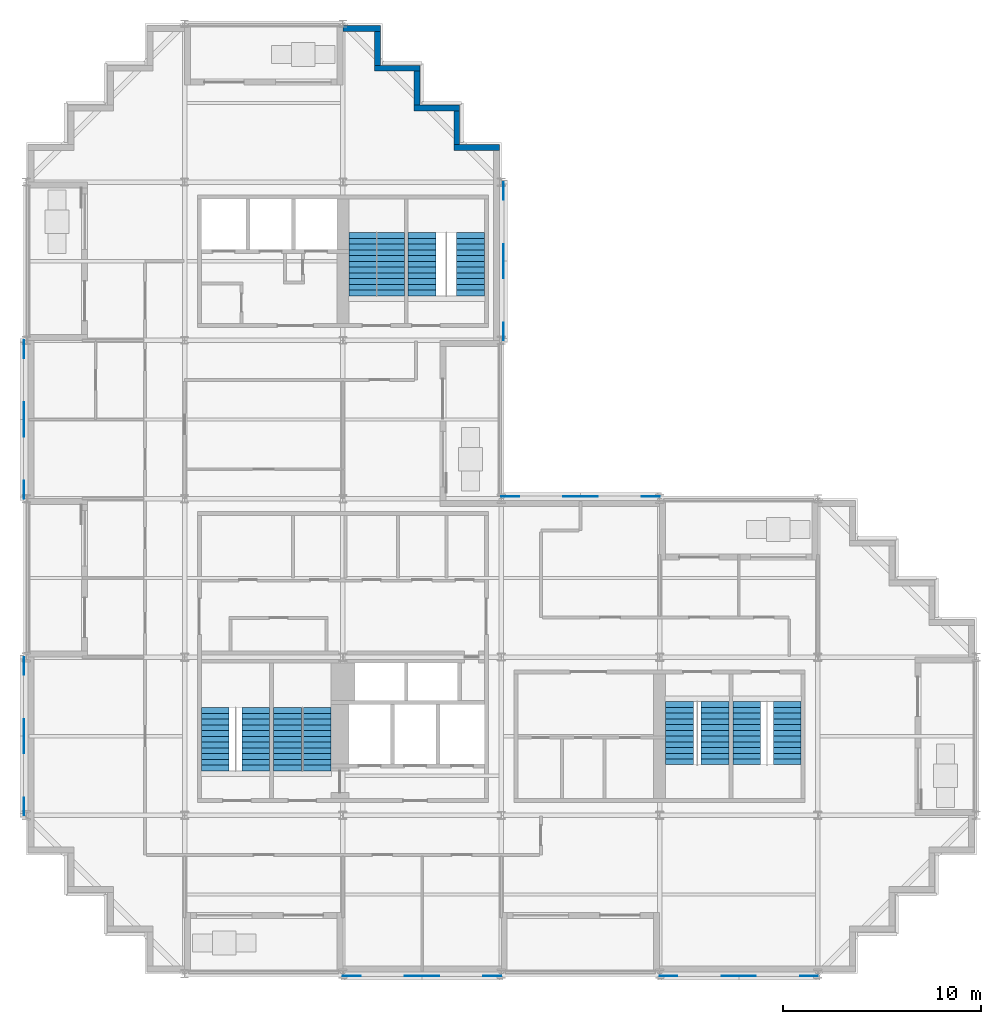
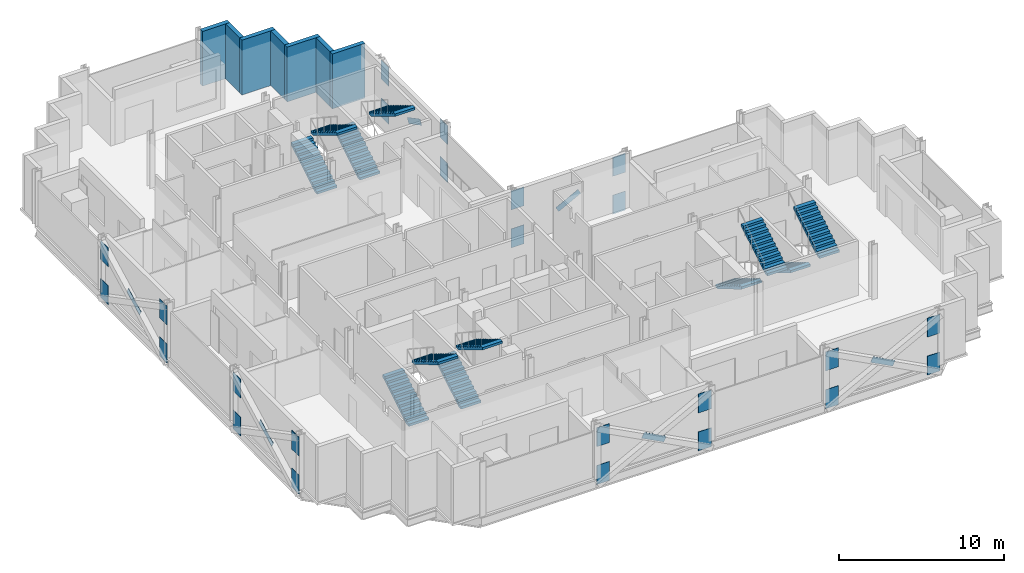
# One storey, part 9 of 12: 30 discrete accessories, 12 stair flights, 7 walls, 6 elements without a shape of their own.
"""IFC4 building model written with IfcOpenShell, lengths in metres."""

from ifc_helpers import new_model, si_unit, direction, frame, frame_2d, origin, origin_2d, place, context, subcontext, project, spatial, polyline, rectangle, outline, extrude, material, layer, layer_set, material_profile, profile_set, type_object, element, aggregate, save


model = new_model("IFC4")

# Units and contexts
model_context = context("Model", 3, precision=1e-05, world=origin(), true_north=direction((0.0, 1.0)))
body_context = subcontext(model_context, "Body", "Model", "MODEL_VIEW")
ifc_project = project(units=[si_unit("LENGTHUNIT", "METRE"), si_unit("AREAUNIT", "SQUARE_METRE"), si_unit("VOLUMEUNIT", "CUBIC_METRE"), si_unit("PLANEANGLEUNIT", "RADIAN"), si_unit("MASSUNIT", "GRAM", prefix="KILO")], contexts=[model_context])

# Site, building, storey
site_placement = place(None, origin())
site = spatial("IfcSite", under=ifc_project, at=site_placement, CompositionType="ELEMENT")
building_placement = place(site_placement, origin())
building = spatial("IfcBuilding", under=site, at=building_placement, Name="Immortelle Media Tower", CompositionType="ELEMENT")
storey_placement = place(building_placement, frame((0.0, 0.0, 145.199951171875)))
storey = spatial("IfcBuildingStorey", under=building, at=storey_placement, Name="L29", CompositionType="ELEMENT", Elevation=145.199951171875)

# Walls
ifc_material_1 = material(Name="Pale aluminium cladding panel", Category="aluminium")
ifc_layer_1 = layer(ifc_material_1, 0.030029296875)
ifc_material_2 = material(Name="Steel ASTM A653 SS Gr 50 stud frame with mineral wool", Category="steel")
ifc_layer_2 = layer(ifc_material_2, 0.257568359375)
ifc_material_3 = material(Name="Moisture-resistant gypsum board", Category="gypsum")
ifc_layer_3 = layer(ifc_material_3, 0.012451171875)
ifc_layer_set = layer_set([ifc_layer_1, ifc_layer_2, ifc_layer_3], Name="Steel ASTM A653 SS Gr 50 stud frame with mineral wool")
wall_type = type_object("IfcWallType", Name="Facade wall 300", PredefinedType="SOLIDWALL", material=ifc_layer_set)
wall_1_placement = place(storey_placement, frame((23.89990234375, 41.75, 0.0), z_axis=(0.0, 0.0, 1.0), x_axis=(-1.0, 0.0, 0.0)))
element("IfcWall", 1, at=wall_1_placement, inside=storey, type_object=wall_type, Name="Facade wall L29 N22", PredefinedType="SOLIDWALL", context=body_context, shape_type="SweptSolid", body=[
    extrude(rectangle(XDim=2.2998046875, YDim=0.300048828125, at=frame_2d((1.14990234375, 0.0))), origin(), (0.0, 0.0, 1.0), 4.050048828125),
])
wall_2_placement = place(storey_placement, frame((21.75, 41.89990234375, 0.0), z_axis=(0.0, 0.0, 1.0), x_axis=(0.0, 1.0, 0.0)))
element("IfcWall", 2, at=wall_2_placement, inside=storey, type_object=wall_type, Name="Facade wall L29 E23", PredefinedType="SOLIDWALL", context=body_context, shape_type="SweptSolid", body=[
    extrude(rectangle(XDim=1.7001953125, YDim=0.300048828125, at=frame_2d((0.85009765625, 0.0))), origin(), (0.0, 0.0, 1.0), 4.050048828125),
])
wall_3_placement = place(storey_placement, frame((21.89990234375, 43.75, 0.0), z_axis=(0.0, 0.0, 1.0), x_axis=(-1.0, 0.0, 0.0)))
element("IfcWall", 3, at=wall_3_placement, inside=storey, type_object=wall_type, Name="Facade wall L29 N24", PredefinedType="SOLIDWALL", context=body_context, shape_type="SweptSolid", body=[
    extrude(rectangle(XDim=2.2998046875, YDim=0.300048828125, at=frame_2d((1.14990234375, 0.0))), origin(), (0.0, 0.0, 1.0), 4.050048828125),
])
wall_4_placement = place(storey_placement, frame((19.75, 43.89990234375, 0.0), z_axis=(0.0, 0.0, 1.0), x_axis=(0.0, 1.0, 0.0)))
element("IfcWall", 4, at=wall_4_placement, inside=storey, type_object=wall_type, Name="Facade wall L29 E25", PredefinedType="SOLIDWALL", context=body_context, shape_type="SweptSolid", body=[
    extrude(rectangle(XDim=1.7001953125, YDim=0.300048828125, at=frame_2d((0.85009765625, 0.0))), origin(), (0.0, 0.0, 1.0), 4.050048828125),
])
wall_5_placement = place(storey_placement, frame((19.89990234375, 45.75, 0.0), z_axis=(0.0, 0.0, 1.0), x_axis=(-1.0, 0.0, 0.0)))
element("IfcWall", 5, at=wall_5_placement, inside=storey, type_object=wall_type, Name="Facade wall L29 N26", PredefinedType="SOLIDWALL", context=body_context, shape_type="SweptSolid", body=[
    extrude(rectangle(XDim=2.2998046875, YDim=0.300048828125, at=frame_2d((1.14990234375, 0.0))), origin(), (0.0, 0.0, 1.0), 4.050048828125),
])
wall_6_placement = place(storey_placement, frame((17.75, 45.89990234375, 0.0), z_axis=(0.0, 0.0, 1.0), x_axis=(0.0, 1.0, 0.0)))
element("IfcWall", 6, at=wall_6_placement, inside=storey, type_object=wall_type, Name="Facade wall L29 E27", PredefinedType="SOLIDWALL", context=body_context, shape_type="SweptSolid", body=[
    extrude(rectangle(XDim=1.7001953125, YDim=0.300048828125, at=frame_2d((0.85009765625, 0.0))), origin(), (0.0, 0.0, 1.0), 4.050048828125),
])
wall_7_placement = place(storey_placement, frame((17.89990234375, 47.75, 0.0), z_axis=(0.0, 0.0, 1.0), x_axis=(-1.0, 0.0, 0.0)))
element("IfcWall", 7, at=wall_7_placement, inside=storey, type_object=wall_type, Name="Facade wall L29 N28", PredefinedType="SOLIDWALL", context=body_context, shape_type="SweptSolid", body=[
    extrude(rectangle(XDim=1.89990234375, YDim=0.300048828125, at=frame_2d((0.949951171875, 0.0))), origin(), (0.0, 0.0, 1.0), 4.050048828125),
])

# Stair, stair flights
ifc_material_4 = material(Name="Steel ASTM A992 Gr 50", Category="steel")
stair_type = type_object("IfcStairType", Name="Stair with flights", PredefinedType="DOUBLE_RETURN_STAIR", material=ifc_material_4)
stair_1_placement = place(storey_placement, origin())
stair_1 = element("IfcStair", 8, at=stair_1_placement, inside=storey, type_object=stair_type, Name="Exit stair SW1", PredefinedType="DOUBLE_RETURN_STAIR")
stair_flight_type = type_object("IfcStairFlightType", Name="Stair flight 1400", PredefinedType="STRAIGHT", material=ifc_material_4)
stair_flight_1_placement = place(storey_placement, frame((9.550048828125, 10.25, 0.0), z_axis=(0.0, 0.0, 1.0), x_axis=(0.0, 1.0, 0.0)))
stair_flight_1 = element("IfcStairFlight", 9, at=stair_flight_1_placement, type_object=stair_flight_type, Name="ST SW1 flight 1", NumberOfRisers=12, NumberOfTreads=11, PredefinedType="STRAIGHT", RiserHeight=0.175, TreadLength=0.29, context=body_context, shape_type="SweptSolid", body=[
    extrude(outline(polyline([(0.0, 0.0), (0.0, 0.175048828125), (0.2900390625, 0.175048828125), (0.2900390625, 0.35009765625), (0.580078125, 0.35009765625), (0.580078125, 0.52490234375), (0.8701171875, 0.52490234375), (0.8701171875, 0.699951171875), (1.159912109375, 0.699951171875), (1.159912109375, 0.875), (1.449951171875, 0.875), (1.449951171875, 1.050048828125), (1.739990234375, 1.050048828125), (1.739990234375, 1.22509765625), (2.030029296875, 1.22509765625), (2.030029296875, 1.39990234375), (2.320068359375, 1.39990234375), (2.320068359375, 1.574951171875), (2.610107421875, 1.574951171875), (2.610107421875, 1.75), (2.89990234375, 1.75), (2.89990234375, 1.925048828125), (3.18994140625, 1.925048828125), (3.18994140625, 2.10009765625), (3.18994140625, 1.75), (0.2900390625, 0.0), (0.0, 0.0)])), frame((0.0, 0.699951171875, 0.0), z_axis=(0.0, -1.0, 0.0), x_axis=(1.0, 0.0, 0.0)), (0.0, 0.0, 1.0), 1.39990234375),
])
stair_flight_2_placement = place(storey_placement, frame((11.60009765625, 13.43994140625, 2.10009765625), z_axis=(0.0, 0.0, 1.0), x_axis=(0.0, -1.0, 0.0)))
stair_flight_2 = element("IfcStairFlight", 10, at=stair_flight_2_placement, type_object=stair_flight_type, Name="ST SW1 flight 2", NumberOfRisers=12, NumberOfTreads=11, PredefinedType="STRAIGHT", RiserHeight=0.175, TreadLength=0.29, context=body_context, shape_type="SweptSolid", body=[
    extrude(outline(polyline([(0.0, 0.0), (0.0, 0.175048828125), (0.2900390625, 0.175048828125), (0.2900390625, 0.35009765625), (0.580078125, 0.35009765625), (0.580078125, 0.52490234375), (0.8701171875, 0.52490234375), (0.8701171875, 0.699951171875), (1.159912109375, 0.699951171875), (1.159912109375, 0.875), (1.449951171875, 0.875), (1.449951171875, 1.050048828125), (1.739990234375, 1.050048828125), (1.739990234375, 1.22509765625), (2.030029296875, 1.22509765625), (2.030029296875, 1.39990234375), (2.320068359375, 1.39990234375), (2.320068359375, 1.574951171875), (2.610107421875, 1.574951171875), (2.610107421875, 1.75), (2.89990234375, 1.75), (2.89990234375, 1.925048828125), (3.18994140625, 1.925048828125), (3.18994140625, 2.10009765625), (3.18994140625, 1.75), (0.2900390625, 0.0), (0.0, 0.0)])), frame((0.0, 0.699951171875, 0.0), z_axis=(0.0, -1.0, 0.0), x_axis=(1.0, 0.0, 0.0)), (0.0, 0.0, 1.0), 1.39990234375),
])
aggregate(stair_1, [stair_flight_1, stair_flight_2])

stair_2_placement = place(storey_placement, origin())
stair_2 = element("IfcStair", 11, at=stair_2_placement, inside=storey, type_object=stair_type, Name="Exit stair SW2", PredefinedType="DOUBLE_RETURN_STAIR")
stair_flight_3_placement = place(storey_placement, frame((13.199951171875, 10.25, 0.0), z_axis=(0.0, 0.0, 1.0), x_axis=(0.0, 1.0, 0.0)))
stair_flight_3 = element("IfcStairFlight", 12, at=stair_flight_3_placement, type_object=stair_flight_type, Name="ST SW2 flight 1", NumberOfRisers=12, NumberOfTreads=11, PredefinedType="STRAIGHT", RiserHeight=0.175, TreadLength=0.29, context=body_context, shape_type="SweptSolid", body=[
    extrude(outline(polyline([(0.0, 0.0), (0.0, 0.175048828125), (0.2900390625, 0.175048828125), (0.2900390625, 0.35009765625), (0.580078125, 0.35009765625), (0.580078125, 0.52490234375), (0.8701171875, 0.52490234375), (0.8701171875, 0.699951171875), (1.159912109375, 0.699951171875), (1.159912109375, 0.875), (1.449951171875, 0.875), (1.449951171875, 1.050048828125), (1.739990234375, 1.050048828125), (1.739990234375, 1.22509765625), (2.030029296875, 1.22509765625), (2.030029296875, 1.39990234375), (2.320068359375, 1.39990234375), (2.320068359375, 1.574951171875), (2.610107421875, 1.574951171875), (2.610107421875, 1.75), (2.89990234375, 1.75), (2.89990234375, 1.925048828125), (3.18994140625, 1.925048828125), (3.18994140625, 2.10009765625), (3.18994140625, 1.75), (0.2900390625, 0.0), (0.0, 0.0)])), frame((0.0, 0.699951171875, 0.0), z_axis=(0.0, -1.0, 0.0), x_axis=(1.0, 0.0, 0.0)), (0.0, 0.0, 1.0), 1.39990234375),
])
stair_flight_4_placement = place(storey_placement, frame((14.699951171875, 13.43994140625, 2.10009765625), z_axis=(0.0, 0.0, 1.0), x_axis=(0.0, -1.0, 0.0)))
stair_flight_4 = element("IfcStairFlight", 13, at=stair_flight_4_placement, type_object=stair_flight_type, Name="ST SW2 flight 2", NumberOfRisers=12, NumberOfTreads=11, PredefinedType="STRAIGHT", RiserHeight=0.175, TreadLength=0.29, context=body_context, shape_type="SweptSolid", body=[
    extrude(outline(polyline([(0.0, 0.0), (0.0, 0.175048828125), (0.2900390625, 0.175048828125), (0.2900390625, 0.35009765625), (0.580078125, 0.35009765625), (0.580078125, 0.52490234375), (0.8701171875, 0.52490234375), (0.8701171875, 0.699951171875), (1.159912109375, 0.699951171875), (1.159912109375, 0.875), (1.449951171875, 0.875), (1.449951171875, 1.050048828125), (1.739990234375, 1.050048828125), (1.739990234375, 1.22509765625), (2.030029296875, 1.22509765625), (2.030029296875, 1.39990234375), (2.320068359375, 1.39990234375), (2.320068359375, 1.574951171875), (2.610107421875, 1.574951171875), (2.610107421875, 1.75), (2.89990234375, 1.75), (2.89990234375, 1.925048828125), (3.18994140625, 1.925048828125), (3.18994140625, 2.10009765625), (3.18994140625, 1.75), (0.2900390625, 0.0), (0.0, 0.0)])), frame((0.0, 0.699951171875, 0.0), z_axis=(0.0, -1.0, 0.0), x_axis=(1.0, 0.0, 0.0)), (0.0, 0.0, 1.0), 1.39990234375),
])
aggregate(stair_2, [stair_flight_3, stair_flight_4])

stair_3_placement = place(storey_placement, origin())
stair_3 = element("IfcStair", 14, at=stair_3_placement, inside=storey, type_object=stair_type, Name="Exit stair SE1", PredefinedType="DOUBLE_RETURN_STAIR")
stair_flight_5_placement = place(storey_placement, frame((33.0, 13.75, 0.0), z_axis=(0.0, 0.0, 1.0), x_axis=(0.0, -1.0, 0.0)))
stair_flight_5 = element("IfcStairFlight", 15, at=stair_flight_5_placement, type_object=stair_flight_type, Name="ST SE1 flight 1", NumberOfRisers=12, NumberOfTreads=11, PredefinedType="STRAIGHT", RiserHeight=0.175, TreadLength=0.29, context=body_context, shape_type="SweptSolid", body=[
    extrude(outline(polyline([(0.0, 0.0), (0.0, 0.175048828125), (0.2900390625, 0.175048828125), (0.2900390625, 0.35009765625), (0.580078125, 0.35009765625), (0.580078125, 0.52490234375), (0.8701171875, 0.52490234375), (0.8701171875, 0.699951171875), (1.159912109375, 0.699951171875), (1.159912109375, 0.875), (1.449951171875, 0.875), (1.449951171875, 1.050048828125), (1.739990234375, 1.050048828125), (1.739990234375, 1.22509765625), (2.030029296875, 1.22509765625), (2.030029296875, 1.39990234375), (2.320068359375, 1.39990234375), (2.320068359375, 1.574951171875), (2.610107421875, 1.574951171875), (2.610107421875, 1.75), (2.89990234375, 1.75), (2.89990234375, 1.925048828125), (3.18994140625, 1.925048828125), (3.18994140625, 2.10009765625), (3.18994140625, 1.75), (0.2900390625, 0.0), (0.0, 0.0)])), frame((0.0, 0.699951171875, 0.0), z_axis=(0.0, -1.0, 0.0), x_axis=(1.0, 0.0, 0.0)), (0.0, 0.0, 1.0), 1.39990234375),
])
stair_flight_6_placement = place(storey_placement, frame((34.800048828125, 10.56005859375, 2.10009765625), z_axis=(0.0, 0.0, 1.0), x_axis=(0.0, 1.0, 0.0)))
stair_flight_6 = element("IfcStairFlight", 16, at=stair_flight_6_placement, type_object=stair_flight_type, Name="ST SE1 flight 2", NumberOfRisers=12, NumberOfTreads=11, PredefinedType="STRAIGHT", RiserHeight=0.175, TreadLength=0.29, context=body_context, shape_type="SweptSolid", body=[
    extrude(outline(polyline([(0.0, 0.0), (0.0, 0.175048828125), (0.2900390625, 0.175048828125), (0.2900390625, 0.35009765625), (0.580078125, 0.35009765625), (0.580078125, 0.52490234375), (0.8701171875, 0.52490234375), (0.8701171875, 0.699951171875), (1.159912109375, 0.699951171875), (1.159912109375, 0.875), (1.449951171875, 0.875), (1.449951171875, 1.050048828125), (1.739990234375, 1.050048828125), (1.739990234375, 1.22509765625), (2.030029296875, 1.22509765625), (2.030029296875, 1.39990234375), (2.320068359375, 1.39990234375), (2.320068359375, 1.574951171875), (2.610107421875, 1.574951171875), (2.610107421875, 1.75), (2.89990234375, 1.75), (2.89990234375, 1.925048828125), (3.18994140625, 1.925048828125), (3.18994140625, 2.10009765625), (3.18994140625, 1.75), (0.2900390625, 0.0), (0.0, 0.0)])), frame((0.0, 0.699951171875, 0.0), z_axis=(0.0, -1.0, 0.0), x_axis=(1.0, 0.0, 0.0)), (0.0, 0.0, 1.0), 1.39990234375),
])
aggregate(stair_3, [stair_flight_5, stair_flight_6])

stair_4_placement = place(storey_placement, origin())
stair_4 = element("IfcStair", 17, at=stair_4_placement, inside=storey, type_object=stair_type, Name="Exit stair SE2", PredefinedType="DOUBLE_RETURN_STAIR")
stair_flight_7_placement = place(storey_placement, frame((36.39990234375, 13.75, 0.0), z_axis=(0.0, 0.0, 1.0), x_axis=(0.0, -1.0, 0.0)))
stair_flight_7 = element("IfcStairFlight", 18, at=stair_flight_7_placement, type_object=stair_flight_type, Name="ST SE2 flight 1", NumberOfRisers=12, NumberOfTreads=11, PredefinedType="STRAIGHT", RiserHeight=0.175, TreadLength=0.29, context=body_context, shape_type="SweptSolid", body=[
    extrude(outline(polyline([(0.0, 0.0), (0.0, 0.175048828125), (0.2900390625, 0.175048828125), (0.2900390625, 0.35009765625), (0.580078125, 0.35009765625), (0.580078125, 0.52490234375), (0.8701171875, 0.52490234375), (0.8701171875, 0.699951171875), (1.159912109375, 0.699951171875), (1.159912109375, 0.875), (1.449951171875, 0.875), (1.449951171875, 1.050048828125), (1.739990234375, 1.050048828125), (1.739990234375, 1.22509765625), (2.030029296875, 1.22509765625), (2.030029296875, 1.39990234375), (2.320068359375, 1.39990234375), (2.320068359375, 1.574951171875), (2.610107421875, 1.574951171875), (2.610107421875, 1.75), (2.89990234375, 1.75), (2.89990234375, 1.925048828125), (3.18994140625, 1.925048828125), (3.18994140625, 2.10009765625), (3.18994140625, 1.75), (0.2900390625, 0.0), (0.0, 0.0)])), frame((0.0, 0.699951171875, 0.0), z_axis=(0.0, -1.0, 0.0), x_axis=(1.0, 0.0, 0.0)), (0.0, 0.0, 1.0), 1.39990234375),
])
stair_flight_8_placement = place(storey_placement, frame((38.449951171875, 10.56005859375, 2.10009765625), z_axis=(0.0, 0.0, 1.0), x_axis=(0.0, 1.0, 0.0)))
stair_flight_8 = element("IfcStairFlight", 19, at=stair_flight_8_placement, type_object=stair_flight_type, Name="ST SE2 flight 2", NumberOfRisers=12, NumberOfTreads=11, PredefinedType="STRAIGHT", RiserHeight=0.175, TreadLength=0.29, context=body_context, shape_type="SweptSolid", body=[
    extrude(outline(polyline([(0.0, 0.0), (0.0, 0.175048828125), (0.2900390625, 0.175048828125), (0.2900390625, 0.35009765625), (0.580078125, 0.35009765625), (0.580078125, 0.52490234375), (0.8701171875, 0.52490234375), (0.8701171875, 0.699951171875), (1.159912109375, 0.699951171875), (1.159912109375, 0.875), (1.449951171875, 0.875), (1.449951171875, 1.050048828125), (1.739990234375, 1.050048828125), (1.739990234375, 1.22509765625), (2.030029296875, 1.22509765625), (2.030029296875, 1.39990234375), (2.320068359375, 1.39990234375), (2.320068359375, 1.574951171875), (2.610107421875, 1.574951171875), (2.610107421875, 1.75), (2.89990234375, 1.75), (2.89990234375, 1.925048828125), (3.18994140625, 1.925048828125), (3.18994140625, 2.10009765625), (3.18994140625, 1.75), (0.2900390625, 0.0), (0.0, 0.0)])), frame((0.0, 0.699951171875, 0.0), z_axis=(0.0, -1.0, 0.0), x_axis=(1.0, 0.0, 0.0)), (0.0, 0.0, 1.0), 1.39990234375),
])
aggregate(stair_4, [stair_flight_7, stair_flight_8])

stair_5_placement = place(storey_placement, origin())
stair_5 = element("IfcStair", 20, at=stair_5_placement, inside=storey, type_object=stair_type, Name="Exit stair NW1", PredefinedType="DOUBLE_RETURN_STAIR")
stair_flight_9_placement = place(storey_placement, frame((17.0, 34.25, 0.0), z_axis=(0.0, 0.0, 1.0), x_axis=(0.0, 1.0, 0.0)))
stair_flight_9 = element("IfcStairFlight", 21, at=stair_flight_9_placement, type_object=stair_flight_type, Name="ST NW1 flight 1", NumberOfRisers=12, NumberOfTreads=11, PredefinedType="STRAIGHT", RiserHeight=0.175, TreadLength=0.29, context=body_context, shape_type="SweptSolid", body=[
    extrude(outline(polyline([(0.0, 0.0), (0.0, 0.175048828125), (0.2900390625, 0.175048828125), (0.2900390625, 0.35009765625), (0.580078125, 0.35009765625), (0.580078125, 0.52490234375), (0.8701171875, 0.52490234375), (0.8701171875, 0.699951171875), (1.159912109375, 0.699951171875), (1.159912109375, 0.875), (1.449951171875, 0.875), (1.449951171875, 1.050048828125), (1.739990234375, 1.050048828125), (1.739990234375, 1.22509765625), (2.030029296875, 1.22509765625), (2.030029296875, 1.39990234375), (2.320068359375, 1.39990234375), (2.320068359375, 1.574951171875), (2.610107421875, 1.574951171875), (2.610107421875, 1.75), (2.89990234375, 1.75), (2.89990234375, 1.925048828125), (3.18994140625, 1.925048828125), (3.18994140625, 2.10009765625), (3.18994140625, 1.75), (0.2900390625, 0.0), (0.0, 0.0)])), frame((0.0, 0.699951171875, 0.0), z_axis=(0.0, -1.0, 0.0), x_axis=(1.0, 0.0, 0.0)), (0.0, 0.0, 1.0), 1.39990234375),
])
stair_flight_10_placement = place(storey_placement, frame((18.39990234375, 37.43994140625, 2.10009765625), z_axis=(0.0, 0.0, 1.0), x_axis=(0.0, -1.0, 0.0)))
stair_flight_10 = element("IfcStairFlight", 22, at=stair_flight_10_placement, type_object=stair_flight_type, Name="ST NW1 flight 2", NumberOfRisers=12, NumberOfTreads=11, PredefinedType="STRAIGHT", RiserHeight=0.175, TreadLength=0.29, context=body_context, shape_type="SweptSolid", body=[
    extrude(outline(polyline([(0.0, 0.0), (0.0, 0.175048828125), (0.2900390625, 0.175048828125), (0.2900390625, 0.35009765625), (0.580078125, 0.35009765625), (0.580078125, 0.52490234375), (0.8701171875, 0.52490234375), (0.8701171875, 0.699951171875), (1.159912109375, 0.699951171875), (1.159912109375, 0.875), (1.449951171875, 0.875), (1.449951171875, 1.050048828125), (1.739990234375, 1.050048828125), (1.739990234375, 1.22509765625), (2.030029296875, 1.22509765625), (2.030029296875, 1.39990234375), (2.320068359375, 1.39990234375), (2.320068359375, 1.574951171875), (2.610107421875, 1.574951171875), (2.610107421875, 1.75), (2.89990234375, 1.75), (2.89990234375, 1.925048828125), (3.18994140625, 1.925048828125), (3.18994140625, 2.10009765625), (3.18994140625, 1.75), (0.2900390625, 0.0), (0.0, 0.0)])), frame((0.0, 0.699951171875, 0.0), z_axis=(0.0, -1.0, 0.0), x_axis=(1.0, 0.0, 0.0)), (0.0, 0.0, 1.0), 1.39990234375),
])
aggregate(stair_5, [stair_flight_9, stair_flight_10])

stair_6_placement = place(storey_placement, origin())
stair_6 = element("IfcStair", 23, at=stair_6_placement, inside=storey, type_object=stair_type, Name="Exit stair NW2", PredefinedType="DOUBLE_RETURN_STAIR")
stair_flight_11_placement = place(storey_placement, frame((20.0, 34.25, 0.0), z_axis=(0.0, 0.0, 1.0), x_axis=(0.0, 1.0, 0.0)))
stair_flight_11 = element("IfcStairFlight", 24, at=stair_flight_11_placement, type_object=stair_flight_type, Name="ST NW2 flight 1", NumberOfRisers=12, NumberOfTreads=11, PredefinedType="STRAIGHT", RiserHeight=0.175, TreadLength=0.29, context=body_context, shape_type="SweptSolid", body=[
    extrude(outline(polyline([(0.0, 0.0), (0.0, 0.175048828125), (0.2900390625, 0.175048828125), (0.2900390625, 0.35009765625), (0.580078125, 0.35009765625), (0.580078125, 0.52490234375), (0.8701171875, 0.52490234375), (0.8701171875, 0.699951171875), (1.159912109375, 0.699951171875), (1.159912109375, 0.875), (1.449951171875, 0.875), (1.449951171875, 1.050048828125), (1.739990234375, 1.050048828125), (1.739990234375, 1.22509765625), (2.030029296875, 1.22509765625), (2.030029296875, 1.39990234375), (2.320068359375, 1.39990234375), (2.320068359375, 1.574951171875), (2.610107421875, 1.574951171875), (2.610107421875, 1.75), (2.89990234375, 1.75), (2.89990234375, 1.925048828125), (3.18994140625, 1.925048828125), (3.18994140625, 2.10009765625), (3.18994140625, 1.75), (0.2900390625, 0.0), (0.0, 0.0)])), frame((0.0, 0.699951171875, 0.0), z_axis=(0.0, -1.0, 0.0), x_axis=(1.0, 0.0, 0.0)), (0.0, 0.0, 1.0), 1.39990234375),
])
stair_flight_12_placement = place(storey_placement, frame((22.449951171875, 37.43994140625, 2.10009765625), z_axis=(0.0, 0.0, 1.0), x_axis=(0.0, -1.0, 0.0)))
stair_flight_12 = element("IfcStairFlight", 25, at=stair_flight_12_placement, type_object=stair_flight_type, Name="ST NW2 flight 2", NumberOfRisers=12, NumberOfTreads=11, PredefinedType="STRAIGHT", RiserHeight=0.175, TreadLength=0.29, context=body_context, shape_type="SweptSolid", body=[
    extrude(outline(polyline([(0.0, 0.0), (0.0, 0.175048828125), (0.2900390625, 0.175048828125), (0.2900390625, 0.35009765625), (0.580078125, 0.35009765625), (0.580078125, 0.52490234375), (0.8701171875, 0.52490234375), (0.8701171875, 0.699951171875), (1.159912109375, 0.699951171875), (1.159912109375, 0.875), (1.449951171875, 0.875), (1.449951171875, 1.050048828125), (1.739990234375, 1.050048828125), (1.739990234375, 1.22509765625), (2.030029296875, 1.22509765625), (2.030029296875, 1.39990234375), (2.320068359375, 1.39990234375), (2.320068359375, 1.574951171875), (2.610107421875, 1.574951171875), (2.610107421875, 1.75), (2.89990234375, 1.75), (2.89990234375, 1.925048828125), (3.18994140625, 1.925048828125), (3.18994140625, 2.10009765625), (3.18994140625, 1.75), (0.2900390625, 0.0), (0.0, 0.0)])), frame((0.0, 0.699951171875, 0.0), z_axis=(0.0, -1.0, 0.0), x_axis=(1.0, 0.0, 0.0)), (0.0, 0.0, 1.0), 1.39990234375),
])
aggregate(stair_6, [stair_flight_11, stair_flight_12])

# Discrete accessories
ifc_material_5 = material(Name="Steel ASTM A572 Gr 50", Category="steel")
ifc_material_profile_1 = material_profile(ifc_material_5, rectangle(XDim=0.02392578125, YDim=0.406005859375, at=origin_2d()), Name="PL 24 x 406")
ifc_profile_set_1 = profile_set([ifc_material_profile_1], Name="Steel ASTM A572 Gr 50")
discrete_accessory_type_1 = type_object("IfcDiscreteAccessoryType", Name="Crossing plate XP-BR4 1750 x 406 x 24", PredefinedType="USERDEFINED", material=ifc_profile_set_1)
for number, where, z_axis, x_axis, name in (
    (26, (28.774658203125, 24.113037109375, 2.01025390625), (-0.885377804934, 0.0, -0.464872178701), (0.0, -1.0, 0.0), "Crossing plate XP-BR4 of Brace D/4-5 A and Brace D/4-5 B"),
    (27, (24.113037109375, 35.225341796875, 2.01025390625), (0.0, 0.885377804934, -0.464872178701), (-1.0, 0.0, 0.0), "Crossing plate XP-BR4 of Brace 4/E-F A and Brace 4/E-F B"),
    (28, (-0.113037109375, 28.774658203125, 2.01025390625), (0.0, -0.885377804934, -0.464872178701), (1.0, 0.0, 0.0), "Crossing plate XP-BR4 of Brace 1/D-E A and Brace 1/D-E B"),
    (29, (-0.113037109375, 12.774658203125, 2.01025390625), (0.0, -0.885377804934, -0.464872178701), (1.0, 0.0, 0.0), "Crossing plate XP-BR4 of Brace 1/B-C A and Brace 1/B-C B"),
    (30, (19.225341796875, -0.113037109375, 2.01025390625), (0.885377804934, 0.0, -0.464872178701), (0.0, 1.0, 0.0), "Crossing plate XP-BR4 of Brace A/3-4 A and Brace A/3-4 B"),
    (31, (35.225341796875, -0.113037109375, 2.01025390625), (0.885377804934, 0.0, -0.464872178701), (0.0, 1.0, 0.0), "Crossing plate XP-BR4 of Brace A/5-6 A and Brace A/5-6 B"),
):
    element("IfcDiscreteAccessory", number, at=place(storey_placement, frame(where, z_axis=z_axis, x_axis=x_axis)), inside=storey, type_object=discrete_accessory_type_1, Name=name, ObjectType="CROSSING PLATE", PredefinedType="USERDEFINED", context=body_context, shape_type="SweptSolid", body=[
        extrude(rectangle(XDim=0.02392578125, YDim=0.406005859375, at=origin_2d()), origin(), (0.0, 0.0, 1.0), 1.75),
    ])
ifc_material_profile_2 = material_profile(ifc_material_5, rectangle(XDim=0.031982421875, YDim=1.39990234375, at=origin_2d()), Name="PL 32 x 1400")
ifc_profile_set_2 = profile_set([ifc_material_profile_2], Name="Steel ASTM A572 Gr 50")
discrete_accessory_type_2 = type_object("IfcDiscreteAccessoryType", Name="Gusset plate GP1 900 x 1400 x 32", PredefinedType="USERDEFINED", material=ifc_profile_set_2)
for number, where, z_axis, x_axis, name in (
    (32, (16.0, -0.113037109375, 0.20361328125), (1.0, 0.0, 0.0), (0.0, 1.0, 0.0), "Gusset plate GP1, lower end of Brace A/3-4 A"),
    (33, (24.0, -0.113037109375, 3.003662109375), (-1.0, 0.0, 0.0), (0.0, -1.0, 0.0), "Gusset plate GP1, upper end of Brace A/3-4 A"),
    (34, (24.0, -0.113037109375, 0.20361328125), (-1.0, 0.0, 0.0), (0.0, -1.0, 0.0), "Gusset plate GP1, lower end of Brace A/3-4 B"),
    (35, (16.0, -0.113037109375, 3.003662109375), (1.0, 0.0, 0.0), (0.0, 1.0, 0.0), "Gusset plate GP1, upper end of Brace A/3-4 B"),
    (36, (32.0, -0.113037109375, 0.20361328125), (1.0, 0.0, 0.0), (0.0, 1.0, 0.0), "Gusset plate GP1, lower end of Brace A/5-6 A"),
    (37, (40.0, -0.113037109375, 3.003662109375), (-1.0, 0.0, 0.0), (0.0, -1.0, 0.0), "Gusset plate GP1, upper end of Brace A/5-6 A"),
    (38, (40.0, -0.113037109375, 0.20361328125), (-1.0, 0.0, 0.0), (0.0, -1.0, 0.0), "Gusset plate GP1, lower end of Brace A/5-6 B"),
    (39, (32.0, -0.113037109375, 3.003662109375), (1.0, 0.0, 0.0), (0.0, 1.0, 0.0), "Gusset plate GP1, upper end of Brace A/5-6 B"),
    (40, (32.0, 24.113037109375, 0.20361328125), (-1.0, 0.0, 0.0), (0.0, -1.0, 0.0), "Gusset plate GP1, lower end of Brace D/4-5 A"),
    (41, (24.0, 24.113037109375, 3.003662109375), (1.0, 0.0, 0.0), (0.0, 1.0, 0.0), "Gusset plate GP1, upper end of Brace D/4-5 A"),
    (42, (24.0, 24.113037109375, 0.20361328125), (1.0, 0.0, 0.0), (0.0, 1.0, 0.0), "Gusset plate GP1, lower end of Brace D/4-5 B"),
    (43, (32.0, 24.113037109375, 3.003662109375), (-1.0, 0.0, 0.0), (0.0, -1.0, 0.0), "Gusset plate GP1, upper end of Brace D/4-5 B"),
    (44, (24.113037109375, 32.0, 0.20361328125), (0.0, 1.0, 0.0), (-1.0, 0.0, 0.0), "Gusset plate GP1, lower end of Brace 4/E-F A"),
    (45, (24.113037109375, 40.0, 3.003662109375), (0.0, -1.0, 0.0), (1.0, 0.0, 0.0), "Gusset plate GP1, upper end of Brace 4/E-F A"),
    (46, (24.113037109375, 40.0, 0.20361328125), (0.0, -1.0, 0.0), (1.0, 0.0, 0.0), "Gusset plate GP1, lower end of Brace 4/E-F B"),
    (47, (24.113037109375, 32.0, 3.003662109375), (0.0, 1.0, 0.0), (-1.0, 0.0, 0.0), "Gusset plate GP1, upper end of Brace 4/E-F B"),
    (48, (-0.113037109375, 32.0, 0.20361328125), (0.0, -1.0, 0.0), (1.0, 0.0, 0.0), "Gusset plate GP1, lower end of Brace 1/D-E A"),
    (49, (-0.113037109375, 24.0, 3.003662109375), (0.0, 1.0, 0.0), (-1.0, 0.0, 0.0), "Gusset plate GP1, upper end of Brace 1/D-E A"),
    (50, (-0.113037109375, 24.0, 0.20361328125), (0.0, 1.0, 0.0), (-1.0, 0.0, 0.0), "Gusset plate GP1, lower end of Brace 1/D-E B"),
    (51, (-0.113037109375, 32.0, 3.003662109375), (0.0, -1.0, 0.0), (1.0, 0.0, 0.0), "Gusset plate GP1, upper end of Brace 1/D-E B"),
    (52, (-0.113037109375, 16.0, 0.20361328125), (0.0, -1.0, 0.0), (1.0, 0.0, 0.0), "Gusset plate GP1, lower end of Brace 1/B-C A"),
    (53, (-0.113037109375, 8.0, 3.003662109375), (0.0, 1.0, 0.0), (-1.0, 0.0, 0.0), "Gusset plate GP1, upper end of Brace 1/B-C A"),
    (54, (-0.113037109375, 8.0, 0.20361328125), (0.0, 1.0, 0.0), (-1.0, 0.0, 0.0), "Gusset plate GP1, lower end of Brace 1/B-C B"),
    (55, (-0.113037109375, 16.0, 3.003662109375), (0.0, -1.0, 0.0), (1.0, 0.0, 0.0), "Gusset plate GP1, upper end of Brace 1/B-C B"),
):
    element("IfcDiscreteAccessory", number, at=place(storey_placement, frame(where, z_axis=z_axis, x_axis=x_axis)), inside=storey, type_object=discrete_accessory_type_2, Name=name, ObjectType="GUSSET PLATE", PredefinedType="USERDEFINED", context=body_context, shape_type="SweptSolid", body=[
        extrude(rectangle(XDim=0.031982421875, YDim=1.39990234375, at=origin_2d()), origin(), (0.0, 0.0, 1.0), 0.89990234375),
    ])

save(model, "model.ifc")
